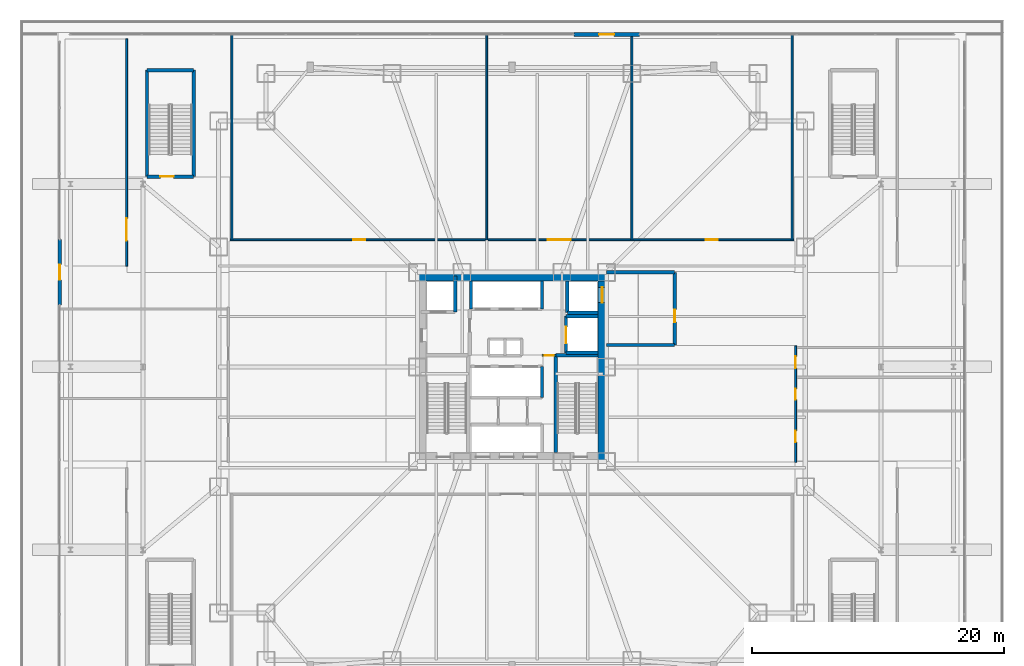
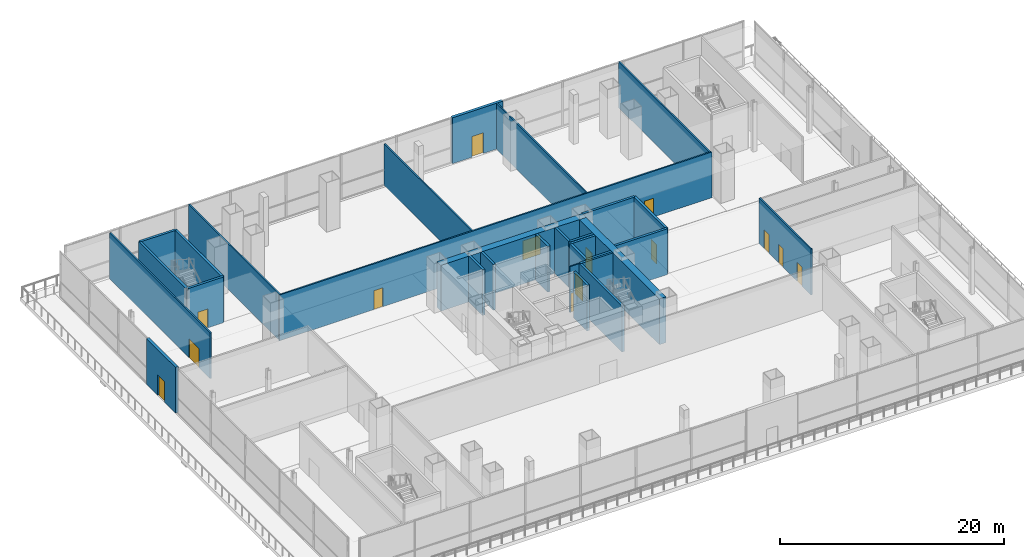
# One storey, part 23 of 35: 30 walls, 14 doors, 14 openings.
"""IFC4 building model written with IfcOpenShell, lengths in metres."""

from ifc_helpers import new_model, si_unit, direction, frame, frame_2d, origin, place, context, subcontext, project, spatial, rectangle, extrude, material, layer, layer_set, type_object, element, fill, save


model = new_model("IFC4")

# Units and contexts
model_context = context("Model", 3, precision=1e-05, world=origin(), true_north=direction((0.0, 1.0)))
body_context = subcontext(model_context, "Body", "Model", "MODEL_VIEW")
ifc_project = project(units=[si_unit("LENGTHUNIT", "METRE"), si_unit("AREAUNIT", "SQUARE_METRE"), si_unit("VOLUMEUNIT", "CUBIC_METRE"), si_unit("PLANEANGLEUNIT", "RADIAN"), si_unit("MASSUNIT", "GRAM", prefix="KILO")], contexts=[model_context])

# Site, building, storey
site_placement = place(None, origin())
site = spatial("IfcSite", under=ifc_project, at=site_placement, CompositionType="ELEMENT")
building_placement = place(site_placement, origin())
building = spatial("IfcBuilding", under=site, at=building_placement, Name="Trevonay Congress Spire", CompositionType="ELEMENT")
storey_placement = place(building_placement, frame((0.0, 0.0, 10.800048828125)))
storey = spatial("IfcBuildingStorey", under=building, at=storey_placement, Name="L02", CompositionType="ELEMENT", Elevation=10.800048828125)

# Wall
ifc_material_1 = material(Name="Concrete C60/75", Category="concrete")
ifc_layer_1 = layer(ifc_material_1, 0.699951171875, Name="Concrete C60/75")
ifc_layer_set_1 = layer_set([ifc_layer_1], Name="Concrete C60/75")
wall_type_1 = type_object("IfcWallType", Name="WAL-CORE-700", PredefinedType="SHEAR", material=ifc_layer_set_1)
wall_1_placement = place(storey_placement, frame((-7.5, 7.14990234375, 0.0), z_axis=(0.0, 0.0, 1.0), x_axis=(1.0, 0.0, 0.0)))
element("IfcWall", 1, at=wall_1_placement, inside=storey, type_object=wall_type_1, Name="L02 North structural core shear wall", PredefinedType="SHEAR", context=body_context, shape_type="SweptSolid", body=[
    extrude(rectangle(XDim=15.0, YDim=0.699951171875, at=frame_2d((7.5, 0.0))), origin(), (0.0, 0.0, 1.0), 5.0),
])

# Wall, opening, door
wall_2_placement = place(storey_placement, frame((7.14990234375, -7.5, 0.0), z_axis=(0.0, 0.0, 1.0), x_axis=(0.0, 1.0, 0.0)))
wall_2 = element("IfcWall", 2, at=wall_2_placement, inside=storey, type_object=wall_type_1, Name="L02 East structural core shear wall", PredefinedType="SHEAR", context=body_context, shape_type="SweptSolid", body=[
    extrude(rectangle(XDim=15.0, YDim=0.699951171875, at=frame_2d((7.5, 0.0))), origin(), (0.0, 0.0, 1.0), 5.0),
])
opening_1_placement = place(wall_2_placement, frame((12.60009765625, 0.0, 0.0)))
opening_1 = element("IfcOpeningElement", 3, at=opening_1_placement, cuts=wall_2, Name="Opening LD04", PredefinedType="OPENING", context=body_context, shape_type="SweptSolid", body=[
    extrude(rectangle(XDim=1.199951171875, YDim=2.199951171875, at=frame_2d((0.60009765625, 1.10009765625))), frame((0.0, 0.35986328125, 0.0), z_axis=(0.0, -1.0, 0.0), x_axis=(1.0, 0.0, 0.0)), (0.0, 0.0, 1.0), 0.719970703125),
])
ifc_material_2 = material(Name="Steel ASTM A572 Grade 50", Category="steel")
door_type_1 = type_object("IfcDoorType", Name="DOR-LIFT-LD04", OperationType="DOUBLE_DOOR_SLIDING", PredefinedType="DOOR", material=ifc_material_2)
door_1_placement = place(opening_1_placement, origin())
door_1 = element("IfcDoor", 4, at=door_1_placement, inside=storey, type_object=door_type_1, Name="L02 Firefighting lift FFL-02 landing door", OperationType="DOUBLE_DOOR_SLIDING", OverallHeight=2.199951171875, OverallWidth=1.199951171875, PredefinedType="DOOR", context=body_context, shape_type="SweptSolid", body=[
    extrude(rectangle(XDim=1.199951171875, YDim=2.199951171875, at=frame_2d((0.60009765625, 1.10009765625))), frame((0.0, 0.02490234375, 0.0), z_axis=(0.0, -1.0, 0.0), x_axis=(1.0, 0.0, 0.0)), (0.0, 0.0, 1.0), 0.050048828125),
])
fill(opening_1, door_1)

# Wall, openings, doors
ifc_material_3 = material(Name="Concrete C40/50", Category="concrete")
ifc_layer_2 = layer(ifc_material_3, 0.14990234375, Name="Concrete C40/50")
ifc_layer_set_2 = layer_set([ifc_layer_2], Name="Concrete C40/50")
wall_type_2 = type_object("IfcWallType", Name="WAL-CORR-150", PredefinedType="PARTITIONING", material=ifc_layer_set_2)
wall_3_placement = place(storey_placement, frame((-22.320068359375, 10.080078125, 0.0), z_axis=(0.0, 0.0, 1.0), x_axis=(1.0, 0.0, 0.0)))
wall_3 = element("IfcWall", 5, at=wall_3_placement, inside=storey, type_object=wall_type_2, Name="L02 interior wall WP-L02N-COR", PredefinedType="PARTITIONING", context=body_context, shape_type="SweptSolid", body=[
    extrude(rectangle(XDim=44.64013671875, YDim=0.14990234375, at=frame_2d((22.320068359375, 0.0))), origin(), (0.0, 0.0, 1.0), 5.0),
])
opening_2_placement = place(wall_3_placement, frame((9.7451171875, 0.0, 0.0)))
opening_2 = element("IfcOpeningElement", 6, at=opening_2_placement, cuts=wall_3, Name="Opening D07", PredefinedType="OPENING", context=body_context, shape_type="SweptSolid", body=[
    extrude(rectangle(XDim=0.949951171875, YDim=2.06005859375, at=frame_2d((0.47509765625, 1.030029296875))), frame((0.0, 0.0849609375, 0.0), z_axis=(0.0, -1.0, 0.0), x_axis=(1.0, 0.0, 0.0)), (0.0, 0.0, 1.0), 0.169921875),
])
opening_3_placement = place(wall_3_placement, frame((25.169921875, 0.0, 0.0)))
opening_3 = element("IfcOpeningElement", 7, at=opening_3_placement, cuts=wall_3, Name="Opening D09", PredefinedType="OPENING", context=body_context, shape_type="SweptSolid", body=[
    extrude(rectangle(XDim=1.800048828125, YDim=2.080078125, at=frame_2d((0.89990234375, 1.0400390625))), frame((0.0, 0.0849609375, 0.0), z_axis=(0.0, -1.0, 0.0), x_axis=(1.0, 0.0, 0.0)), (0.0, 0.0, 1.0), 0.169921875),
])
opening_4_placement = place(wall_3_placement, frame((37.695068359375, 0.0, 0.0)))
opening_4 = element("IfcOpeningElement", 8, at=opening_4_placement, cuts=wall_3, Name="Opening D07", PredefinedType="OPENING", context=body_context, shape_type="SweptSolid", body=[
    extrude(rectangle(XDim=0.949951171875, YDim=2.06005859375, at=frame_2d((0.47509765625, 1.030029296875))), frame((0.0, 0.0849609375, 0.0), z_axis=(0.0, -1.0, 0.0), x_axis=(1.0, 0.0, 0.0)), (0.0, 0.0, 1.0), 0.169921875),
])
ifc_material_4 = material(Name="Pale Anodised Aluminium EN AW-6063-T6", Category="aluminium")
door_type_2 = type_object("IfcDoorType", Name="DOR-CONF-DBL", OperationType="DOUBLE_DOOR_SINGLE_SWING", PredefinedType="DOOR", material=ifc_material_4)
door_2_placement = place(opening_3_placement, origin())
door_2 = element("IfcDoor", 9, at=door_2_placement, inside=storey, type_object=door_type_2, Name="L02 Exhibitor Business Lounge Door", OperationType="DOUBLE_DOOR_SINGLE_SWING", OverallHeight=2.080078125, OverallWidth=1.800048828125, PredefinedType="DOOR", context=body_context, shape_type="SweptSolid", body=[
    extrude(rectangle(XDim=1.800048828125, YDim=2.080078125, at=frame_2d((0.89990234375, 1.0400390625))), frame((0.0, 0.02490234375, 0.0), z_axis=(0.0, -1.0, 0.0), x_axis=(1.0, 0.0, 0.0)), (0.0, 0.0, 1.0), 0.050048828125),
])
fill(opening_3, door_2)
door_type_3 = type_object("IfcDoorType", Name="DOR-OFFICE-95", OperationType="NOTDEFINED", PredefinedType="DOOR", material=ifc_material_4)
door_3_placement = place(opening_2_placement, origin())
door_3 = element("IfcDoor", 10, at=door_3_placement, inside=storey, type_object=door_type_3, Name="L02 North Trade Exhibition Gallery Door", OperationType="SINGLE_SWING_LEFT", OverallHeight=2.06005859375, OverallWidth=0.949951171875, PredefinedType="DOOR", context=body_context, shape_type="SweptSolid", body=[
    extrude(rectangle(XDim=0.949951171875, YDim=2.06005859375, at=frame_2d((0.47509765625, 1.030029296875))), frame((0.0, 0.02490234375, 0.0), z_axis=(0.0, -1.0, 0.0), x_axis=(1.0, 0.0, 0.0)), (0.0, 0.0, 1.0), 0.050048828125),
])
fill(opening_2, door_3)
door_4_placement = place(opening_4_placement, origin())
door_4 = element("IfcDoor", 11, at=door_4_placement, inside=storey, type_object=door_type_3, Name="L02 Trade Press Office Door", OperationType="SINGLE_SWING_RIGHT", OverallHeight=2.06005859375, OverallWidth=0.949951171875, PredefinedType="DOOR", context=body_context, shape_type="SweptSolid", body=[
    extrude(rectangle(XDim=0.949951171875, YDim=2.06005859375, at=frame_2d((0.47509765625, 1.030029296875))), frame((0.0, 0.02490234375, 0.0), z_axis=(0.0, -1.0, 0.0), x_axis=(1.0, 0.0, 0.0)), (0.0, 0.0, 1.0), 0.050048828125),
])
fill(opening_4, door_4)

wall_4_placement = place(storey_placement, frame((22.47998046875, -7.570068359375, 0.0), z_axis=(0.0, 0.0, 1.0), x_axis=(0.0, 1.0, 0.0)))
wall_4 = element("IfcWall", 12, at=wall_4_placement, inside=storey, type_object=wall_type_2, Name="L02 interior wall WP-L02E-COR", PredefinedType="PARTITIONING", context=body_context, shape_type="SweptSolid", body=[
    extrude(rectangle(XDim=9.239990234375, YDim=0.14990234375, at=frame_2d((4.6201171875, 0.0))), origin(), (0.0, 0.0, 1.0), 5.0),
])
opening_5_placement = place(wall_4_placement, frame((1.580078125, 0.0, 0.0)))
opening_5 = element("IfcOpeningElement", 13, at=opening_5_placement, cuts=wall_4, Name="Opening D07", PredefinedType="OPENING", context=body_context, shape_type="SweptSolid", body=[
    extrude(rectangle(XDim=0.949951171875, YDim=2.06005859375, at=frame_2d((0.47509765625, 1.030029296875))), frame((0.0, 0.0849609375, 0.0), z_axis=(0.0, -1.0, 0.0), x_axis=(1.0, 0.0, 0.0)), (0.0, 0.0, 1.0), 0.169921875),
])
opening_6_placement = place(wall_4_placement, frame((4.985107421875, 0.0, 0.0)))
opening_6 = element("IfcOpeningElement", 14, at=opening_6_placement, cuts=wall_4, Name="Opening D10", PredefinedType="OPENING", context=body_context, shape_type="SweptSolid", body=[
    extrude(rectangle(XDim=0.85009765625, YDim=2.050048828125, at=frame_2d((0.425048828125, 1.02490234375))), frame((0.0, 0.0849609375, 0.0), z_axis=(0.0, -1.0, 0.0), x_axis=(1.0, 0.0, 0.0)), (0.0, 0.0, 1.0), 0.169921875),
])
opening_7_placement = place(wall_4_placement, frame((7.4599609375, 0.0, 0.0)))
opening_7 = element("IfcOpeningElement", 15, at=opening_7_placement, cuts=wall_4, Name="Opening D07", PredefinedType="OPENING", context=body_context, shape_type="SweptSolid", body=[
    extrude(rectangle(XDim=0.949951171875, YDim=2.06005859375, at=frame_2d((0.47509765625, 1.030029296875))), frame((0.0, 0.0849609375, 0.0), z_axis=(0.0, -1.0, 0.0), x_axis=(1.0, 0.0, 0.0)), (0.0, 0.0, 1.0), 0.169921875),
])
door_5_placement = place(opening_5_placement, origin())
door_5 = element("IfcDoor", 16, at=door_5_placement, inside=storey, type_object=door_type_3, Name="L02 Exhibition Organizer Office Door", OperationType="SINGLE_SWING_LEFT", OverallHeight=2.06005859375, OverallWidth=0.949951171875, PredefinedType="DOOR", context=body_context, shape_type="SweptSolid", body=[
    extrude(rectangle(XDim=0.949951171875, YDim=2.06005859375, at=frame_2d((0.47509765625, 1.030029296875))), frame((0.0, 0.02490234375, 0.0), z_axis=(0.0, -1.0, 0.0), x_axis=(1.0, 0.0, 0.0)), (0.0, 0.0, 1.0), 0.050048828125),
])
fill(opening_5, door_5)
door_6_placement = place(opening_7_placement, origin())
door_6 = element("IfcDoor", 17, at=door_6_placement, inside=storey, type_object=door_type_3, Name="L02 Floor Supplies and Copy Room Door", OperationType="SINGLE_SWING_LEFT", OverallHeight=2.06005859375, OverallWidth=0.949951171875, PredefinedType="DOOR", context=body_context, shape_type="SweptSolid", body=[
    extrude(rectangle(XDim=0.949951171875, YDim=2.06005859375, at=frame_2d((0.47509765625, 1.030029296875))), frame((0.0, 0.02490234375, 0.0), z_axis=(0.0, -1.0, 0.0), x_axis=(1.0, 0.0, 0.0)), (0.0, 0.0, 1.0), 0.050048828125),
])
fill(opening_7, door_6)
door_type_4 = type_object("IfcDoorType", Name="DOR-WC-85", OperationType="NOTDEFINED", PredefinedType="DOOR", material=ifc_material_4)
door_7_placement = place(opening_6_placement, origin())
door_7 = element("IfcDoor", 18, at=door_7_placement, inside=storey, type_object=door_type_4, Name="L02 Female Restroom WC Door", OperationType="SINGLE_SWING_RIGHT", OverallHeight=2.050048828125, OverallWidth=0.85009765625, PredefinedType="DOOR", context=body_context, shape_type="SweptSolid", body=[
    extrude(rectangle(XDim=0.85009765625, YDim=2.050048828125, at=frame_2d((0.425048828125, 1.02490234375))), frame((0.0, 0.02490234375, 0.0), z_axis=(0.0, -1.0, 0.0), x_axis=(1.0, 0.0, 0.0)), (0.0, 0.0, 1.0), 0.050048828125),
])
fill(opening_6, door_7)

# Wall, opening, door
wall_5_placement = place(storey_placement, frame((-30.550048828125, 8.0, 0.0), z_axis=(0.0, 0.0, 1.0), x_axis=(0.0, 1.0, 0.0)))
wall_5 = element("IfcWall", 19, at=wall_5_placement, inside=storey, type_object=wall_type_2, Name="L02 interior wall WL02-XNW", PredefinedType="PARTITIONING", context=body_context, shape_type="SweptSolid", body=[
    extrude(rectangle(XDim=18.0, YDim=0.14990234375, at=frame_2d((9.0, 0.0))), origin(), (0.0, 0.0, 1.0), 5.0),
])
opening_8_placement = place(wall_5_placement, frame((2.0, 0.0, 0.0)))
opening_8 = element("IfcOpeningElement", 20, at=opening_8_placement, cuts=wall_5, Name="Opening D09", PredefinedType="OPENING", context=body_context, shape_type="SweptSolid", body=[
    extrude(rectangle(XDim=1.800048828125, YDim=2.080078125, at=frame_2d((0.89990234375, 1.0400390625))), frame((0.0, 0.0849609375, 0.0), z_axis=(0.0, -1.0, 0.0), x_axis=(1.0, 0.0, 0.0)), (0.0, 0.0, 1.0), 0.169921875),
])
door_8_placement = place(opening_8_placement, origin())
door_8 = element("IfcDoor", 21, at=door_8_placement, inside=storey, type_object=door_type_2, Name="L02 L02 North-West Breakout Salon Door", OperationType="DOUBLE_DOOR_SINGLE_SWING", OverallHeight=2.080078125, OverallWidth=1.800048828125, PredefinedType="DOOR", context=body_context, shape_type="SweptSolid", body=[
    extrude(rectangle(XDim=1.800048828125, YDim=2.080078125, at=frame_2d((0.89990234375, 1.0400390625))), frame((0.0, 0.02490234375, 0.0), z_axis=(0.0, -1.0, 0.0), x_axis=(1.0, 0.0, 0.0)), (0.0, 0.0, 1.0), 0.050048828125),
])
fill(opening_8, door_8)

ifc_material_5 = material(Name="Precast concrete C40/50", Category="concrete")
ifc_layer_3 = layer(ifc_material_5, 0.300048828125, Name="Precast concrete C40/50")
ifc_layer_set_3 = layer_set([ifc_layer_3], Name="Precast concrete C40/50")
wall_type_3 = type_object("IfcWallType", Name="WAL-EXT-PRECAST-300", PredefinedType="SOLIDWALL", material=ifc_layer_set_3)
wall_6_placement = place(storey_placement, frame((-35.85009765625, 4.89990234375, 0.0), z_axis=(0.0, 0.0, 1.0), x_axis=(0.0, 1.0, 0.0)))
wall_6 = element("IfcWall", 22, at=wall_6_placement, inside=storey, type_object=wall_type_3, Name="L02 W terrace doorway backup wall", PredefinedType="SOLIDWALL", context=body_context, shape_type="SweptSolid", body=[
    extrude(rectangle(XDim=5.2001953125, YDim=0.300048828125, at=frame_2d((2.60009765625, 0.0))), origin(), (0.0, 0.0, 1.0), 5.0),
])
opening_9_placement = place(wall_6_placement, frame((2.0, 0.0, 0.0)))
opening_9 = element("IfcOpeningElement", 23, at=opening_9_placement, cuts=wall_6, Name="Opening D12", PredefinedType="OPENING", context=body_context, shape_type="SweptSolid", body=[
    extrude(rectangle(XDim=1.199951171875, YDim=2.25, at=frame_2d((0.60009765625, 1.125))), frame((0.0, 0.16015625, 0.0), z_axis=(0.0, -1.0, 0.0), x_axis=(1.0, 0.0, 0.0)), (0.0, 0.0, 1.0), 0.320068359375),
])
door_type_5 = type_object("IfcDoorType", Name="DOR-EXT-TERR-120", OperationType="NOTDEFINED", PredefinedType="DOOR", material=ifc_material_4)
door_9_placement = place(opening_9_placement, origin())
door_9 = element("IfcDoor", 24, at=door_9_placement, inside=storey, type_object=door_type_5, Name="L02 W stepped terrace access door", OperationType="SINGLE_SWING_LEFT", OverallHeight=2.25, OverallWidth=1.199951171875, PredefinedType="DOOR", context=body_context, shape_type="SweptSolid", body=[
    extrude(rectangle(XDim=1.199951171875, YDim=2.25, at=frame_2d((0.60009765625, 1.125))), frame((0.0, 0.02490234375, 0.0), z_axis=(0.0, -1.0, 0.0), x_axis=(1.0, 0.0, 0.0)), (0.0, 0.0, 1.0), 0.050048828125),
])
fill(opening_9, door_9)

wall_7_placement = place(storey_placement, frame((4.89990234375, 26.35009765625, 0.0), z_axis=(0.0, 0.0, 1.0), x_axis=(1.0, 0.0, 0.0)))
wall_7 = element("IfcWall", 25, at=wall_7_placement, inside=storey, type_object=wall_type_3, Name="L02 N terrace doorway backup wall", PredefinedType="SOLIDWALL", context=body_context, shape_type="SweptSolid", body=[
    extrude(rectangle(XDim=5.2001953125, YDim=0.300048828125, at=frame_2d((2.60009765625, 0.0))), origin(), (0.0, 0.0, 1.0), 5.0),
])
opening_10_placement = place(wall_7_placement, frame((2.0, 0.0, 0.0)))
opening_10 = element("IfcOpeningElement", 26, at=opening_10_placement, cuts=wall_7, Name="Opening D12", PredefinedType="OPENING", context=body_context, shape_type="SweptSolid", body=[
    extrude(rectangle(XDim=1.199951171875, YDim=2.25, at=frame_2d((0.60009765625, 1.125))), frame((0.0, 0.16015625, 0.0), z_axis=(0.0, -1.0, 0.0), x_axis=(1.0, 0.0, 0.0)), (0.0, 0.0, 1.0), 0.320068359375),
])
door_10_placement = place(opening_10_placement, origin())
door_10 = element("IfcDoor", 27, at=door_10_placement, inside=storey, type_object=door_type_5, Name="L02 N stepped terrace access door", OperationType="SINGLE_SWING_LEFT", OverallHeight=2.25, OverallWidth=1.199951171875, PredefinedType="DOOR", context=body_context, shape_type="SweptSolid", body=[
    extrude(rectangle(XDim=1.199951171875, YDim=2.25, at=frame_2d((0.60009765625, 1.125))), frame((0.0, 0.02490234375, 0.0), z_axis=(0.0, -1.0, 0.0), x_axis=(1.0, 0.0, 0.0)), (0.0, 0.0, 1.0), 0.050048828125),
])
fill(opening_10, door_10)

ifc_layer_4 = layer(ifc_material_3, 0.14990234375, Name="Concrete C40/50")
ifc_layer_set_4 = layer_set([ifc_layer_4], Name="Concrete C40/50")
wall_type_4 = type_object("IfcWallType", Name="WAL-PART-150", PredefinedType="PARTITIONING", material=ifc_layer_set_4)
wall_8_placement = place(storey_placement, frame((2.3798828125, 0.919921875, 0.0), z_axis=(0.0, 0.0, 1.0), x_axis=(1.0, 0.0, 0.0)))
wall_8 = element("IfcWall", 28, at=wall_8_placement, inside=storey, type_object=wall_type_4, Name="L02 interior wall CW-CSRV-N-L02", PredefinedType="PARTITIONING", context=body_context, shape_type="SweptSolid", body=[
    extrude(rectangle(XDim=1.090087890625, YDim=0.14990234375, at=frame_2d((0.544921875, 0.0))), origin(), (0.0, 0.0, 1.0), 5.0),
])
opening_11_placement = place(wall_8_placement, frame((0.135009765625, 0.0, 0.0)))
opening_11 = element("IfcOpeningElement", 29, at=opening_11_placement, cuts=wall_8, Name="Opening D13", PredefinedType="OPENING", context=body_context, shape_type="SweptSolid", body=[
    extrude(rectangle(XDim=0.820068359375, YDim=2.050048828125, at=frame_2d((0.41015625, 1.02490234375))), frame((0.0, 0.0849609375, 0.0), z_axis=(0.0, -1.0, 0.0), x_axis=(1.0, 0.0, 0.0)), (0.0, 0.0, 1.0), 0.169921875),
])
door_type_6 = type_object("IfcDoorType", Name="DOR-UTIL-80", OperationType="NOTDEFINED", PredefinedType="DOOR", material=ifc_material_2)
door_11_placement = place(opening_11_placement, origin())
door_11 = element("IfcDoor", 30, at=door_11_placement, inside=storey, type_object=door_type_6, Name="L02 Core Service Pocket Door", OperationType="SINGLE_SWING_LEFT", OverallHeight=2.050048828125, OverallWidth=0.820068359375, PredefinedType="DOOR", context=body_context, shape_type="SweptSolid", body=[
    extrude(rectangle(XDim=0.820068359375, YDim=2.050048828125, at=frame_2d((0.41015625, 1.02490234375))), frame((0.0, 0.02490234375, 0.0), z_axis=(0.0, -1.0, 0.0), x_axis=(1.0, 0.0, 0.0)), (0.0, 0.0, 1.0), 0.050048828125),
])
fill(opening_11, door_11)

# Walls
wall_9_placement = place(storey_placement, frame((-22.199951171875, 10.080078125, 0.0), z_axis=(0.0, 0.0, 1.0), x_axis=(0.0, 1.0, 0.0)))
element("IfcWall", 31, at=wall_9_placement, inside=storey, type_object=wall_type_4, Name="L02 interior wall WP-L02N-DIV1", PredefinedType="PARTITIONING", context=body_context, shape_type="SweptSolid", body=[
    extrude(rectangle(XDim=16.27001953125, YDim=0.14990234375, at=frame_2d((8.135009765625, 0.0))), origin(), (0.0, 0.0, 1.0), 5.0),
])
wall_10_placement = place(storey_placement, frame((-2.0, 10.080078125, 0.0), z_axis=(0.0, 0.0, 1.0), x_axis=(0.0, 1.0, 0.0)))
element("IfcWall", 32, at=wall_10_placement, inside=storey, type_object=wall_type_4, Name="L02 interior wall WP-L02N-DIV2", PredefinedType="PARTITIONING", context=body_context, shape_type="SweptSolid", body=[
    extrude(rectangle(XDim=16.27001953125, YDim=0.14990234375, at=frame_2d((8.135009765625, 0.0))), origin(), (0.0, 0.0, 1.0), 4.51806640625),
])
for number, where, z_axis, x_axis, name in (
    (33, (9.5, 10.080078125, 0.0), (0.0, 0.0, 1.0), (0.0, 1.0, 0.0), "L02 interior wall WP-L02N-DIV3"),
    (34, (22.199951171875, 10.080078125, 0.0), (0.0, 0.0, 1.0), (0.0, 1.0, 0.0), "L02 interior wall WP-L02N-DIV4"),
):
    element("IfcWall", number, at=place(storey_placement, frame(where, z_axis=z_axis, x_axis=x_axis)), inside=storey, type_object=wall_type_4, Name=name, PredefinedType="PARTITIONING", context=body_context, shape_type="SweptSolid", body=[
        extrude(rectangle(XDim=16.27001953125, YDim=0.14990234375, at=frame_2d((8.135009765625, 0.0))), origin(), (0.0, 0.0, 1.0), 5.0),
    ])
ifc_layer_5 = layer(ifc_material_3, 0.25, Name="Concrete C40/50")
ifc_layer_set_5 = layer_set([ifc_layer_5], Name="Concrete C40/50")
wall_type_5 = type_object("IfcWallType", Name="WAL-SHAFT-250", PredefinedType="SHEAR", material=ifc_layer_set_5)
wall_11_placement = place(storey_placement, frame((2.3798828125, -2.419921875, 0.0), z_axis=(0.0, 0.0, 1.0), x_axis=(0.0, 1.0, 0.0)))
element("IfcWall", 35, at=wall_11_placement, inside=storey, type_object=wall_type_5, Name="L02 interior shaft wall WSH-L02-B2-E", PredefinedType="SHEAR", context=body_context, shape_type="SweptSolid", body=[
    extrude(rectangle(XDim=2.43994140625, YDim=0.25, at=frame_2d((1.219970703125, 0.0))), origin(), (0.0, 0.0, 1.0), 5.0),
])
for number, where, z_axis, x_axis, name in (
    (36, (-3.260009765625, 4.580078125, 0.0), (0.0, 0.0, 1.0), (0.0, 1.0, 0.0), "L02 interior shaft wall WSH-L02-B3-W"),
    (37, (2.3798828125, 4.580078125, 0.0), (0.0, 0.0, 1.0), (0.0, 1.0, 0.0), "L02 interior shaft wall WSH-L02-B3-E"),
):
    element("IfcWall", number, at=place(storey_placement, frame(where, z_axis=z_axis, x_axis=x_axis)), inside=storey, type_object=wall_type_5, Name=name, PredefinedType="SHEAR", context=body_context, shape_type="SweptSolid", body=[
        extrude(rectangle(XDim=2.219970703125, YDim=0.25, at=frame_2d((1.10986328125, 0.0))), origin(), (0.0, 0.0, 1.0), 5.0),
    ])
wall_12_placement = place(storey_placement, frame((-4.5, 4.35009765625, 0.0), z_axis=(0.0, 0.0, 1.0), x_axis=(0.0, 1.0, 0.0)))
element("IfcWall", 38, at=wall_12_placement, inside=storey, type_object=wall_type_5, Name="L02 interior shaft wall WSH-L02-FF1-E", PredefinedType="SHEAR", context=body_context, shape_type="SweptSolid", body=[
    extrude(rectangle(XDim=2.849853515625, YDim=0.25, at=frame_2d((1.4248046875, 0.0))), origin(), (0.0, 0.0, 1.0), 5.0),
])
wall_13_placement = place(storey_placement, frame((4.3798828125, 4.300048828125, 0.0), z_axis=(0.0, 0.0, 1.0), x_axis=(1.0, 0.0, 0.0)))
element("IfcWall", 39, at=wall_13_placement, inside=storey, type_object=wall_type_5, Name="L02 interior shaft wall WSH-L02-FF2-S", PredefinedType="SHEAR", context=body_context, shape_type="SweptSolid", body=[
    extrude(rectangle(XDim=2.420166015625, YDim=0.25, at=frame_2d((1.2099609375, 0.0))), origin(), (0.0, 0.0, 1.0), 5.0),
])
wall_14_placement = place(storey_placement, frame((4.3798828125, 4.300048828125, 0.0), z_axis=(0.0, 0.0, 1.0), x_axis=(0.0, 1.0, 0.0)))
element("IfcWall", 40, at=wall_14_placement, inside=storey, type_object=wall_type_5, Name="L02 interior shaft wall WSH-L02-FF2-W", PredefinedType="SHEAR", context=body_context, shape_type="SweptSolid", body=[
    extrude(rectangle(XDim=2.5, YDim=0.25, at=frame_2d((1.25, 0.0))), origin(), (0.0, 0.0, 1.0), 5.0),
])

# Wall, opening, door
wall_15_placement = place(storey_placement, frame((4.280029296875, 1.1201171875, 0.0), z_axis=(0.0, 0.0, 1.0), x_axis=(0.0, 1.0, 0.0)))
wall_15 = element("IfcWall", 41, at=wall_15_placement, inside=storey, type_object=wall_type_5, Name="L02 interior shaft wall WSH-L02-SV-W", PredefinedType="SHEAR", context=body_context, shape_type="SweptSolid", body=[
    extrude(rectangle(XDim=2.89990234375, YDim=0.25, at=frame_2d((1.449951171875, 0.0))), origin(), (0.0, 0.0, 1.0), 5.0),
])
opening_12_placement = place(wall_15_placement, frame((0.75, 0.0, 0.0)))
opening_12 = element("IfcOpeningElement", 42, at=opening_12_placement, cuts=wall_15, Name="Opening LD05", PredefinedType="OPENING", context=body_context, shape_type="SweptSolid", body=[
    extrude(rectangle(XDim=1.300048828125, YDim=2.300048828125, at=frame_2d((0.64990234375, 1.14990234375))), frame((0.0, 0.135009765625, 0.0), z_axis=(0.0, -1.0, 0.0), x_axis=(1.0, 0.0, 0.0)), (0.0, 0.0, 1.0), 0.27001953125),
])
door_type_7 = type_object("IfcDoorType", Name="DOR-LIFT-LD05", OperationType="DOUBLE_DOOR_SLIDING", PredefinedType="DOOR", material=ifc_material_2)
door_12_placement = place(opening_12_placement, origin())
door_12 = element("IfcDoor", 43, at=door_12_placement, inside=storey, type_object=door_type_7, Name="L02 Goods lift SVL-01 landing door", OperationType="DOUBLE_DOOR_SLIDING", OverallHeight=2.300048828125, OverallWidth=1.300048828125, PredefinedType="DOOR", context=body_context, shape_type="SweptSolid", body=[
    extrude(rectangle(XDim=1.300048828125, YDim=2.300048828125, at=frame_2d((0.64990234375, 1.14990234375))), frame((0.0, 0.02490234375, 0.0), z_axis=(0.0, -1.0, 0.0), x_axis=(1.0, 0.0, 0.0)), (0.0, 0.0, 1.0), 0.050048828125),
])
fill(opening_12, door_12)

# Walls
for number, where, z_axis, x_axis, name in (
    (44, (4.280029296875, 1.1201171875, 0.0), (0.0, 0.0, 1.0), (1.0, 0.0, 0.0), "L02 interior shaft wall WSH-L02-SV-S"),
    (45, (4.280029296875, 4.02001953125, 0.0), (0.0, 0.0, 1.0), (1.0, 0.0, 0.0), "L02 interior shaft wall WSH-L02-SV-N"),
):
    element("IfcWall", number, at=place(storey_placement, frame(where, z_axis=z_axis, x_axis=x_axis)), inside=storey, type_object=wall_type_5, Name=name, PredefinedType="SHEAR", context=body_context, shape_type="SweptSolid", body=[
        extrude(rectangle(XDim=2.52001953125, YDim=0.25, at=frame_2d((1.260009765625, 0.0))), origin(), (0.0, 0.0, 1.0), 5.0),
    ])

# Wall, opening, door
wall_16_placement = place(storey_placement, frame((12.89990234375, 1.75, 0.0), z_axis=(0.0, 0.0, 1.0), x_axis=(0.0, 1.0, 0.0)))
wall_16 = element("IfcWall", 46, at=wall_16_placement, inside=storey, type_object=wall_type_5, Name="L02 interior wall WP-L02-FFLE-E", PredefinedType="SHEAR", context=body_context, shape_type="SweptSolid", body=[
    extrude(rectangle(XDim=5.75, YDim=0.25, at=frame_2d((2.875, 0.0))), origin(), (0.0, 0.0, 1.0), 5.0),
])
opening_13_placement = place(wall_16_placement, frame((1.800048828125, 0.0, 0.0)))
opening_13 = element("IfcOpeningElement", 47, at=opening_13_placement, cuts=wall_16, Name="Opening D06", PredefinedType="OPENING", context=body_context, shape_type="SweptSolid", body=[
    extrude(rectangle(XDim=1.0, YDim=2.080078125, at=frame_2d((0.5, 1.0400390625))), frame((0.0, 0.135009765625, 0.0), z_axis=(0.0, -1.0, 0.0), x_axis=(1.0, 0.0, 0.0)), (0.0, 0.0, 1.0), 0.27001953125),
])
door_type_8 = type_object("IfcDoorType", Name="DOR-FIRE-100", OperationType="NOTDEFINED", PredefinedType="DOOR", material=ifc_material_2)
door_13_placement = place(opening_13_placement, origin())
door_13 = element("IfcDoor", 48, at=door_13_placement, inside=storey, type_object=door_type_8, Name="L02 L02 Firefighting Lobby East Door", OperationType="SINGLE_SWING_RIGHT", OverallHeight=2.080078125, OverallWidth=1.0, PredefinedType="DOOR", context=body_context, shape_type="SweptSolid", body=[
    extrude(rectangle(XDim=1.0, YDim=2.080078125, at=frame_2d((0.5, 1.0400390625))), frame((0.0, 0.02490234375, 0.0), z_axis=(0.0, -1.0, 0.0), x_axis=(1.0, 0.0, 0.0)), (0.0, 0.0, 1.0), 0.050048828125),
])
fill(opening_13, door_13)

# Walls
for number, where, z_axis, x_axis, name in (
    (49, (7.5, 1.75, 0.0), (0.0, 0.0, 1.0), (1.0, 0.0, 0.0), "L02 interior wall WP-L02-FFLE-S"),
    (50, (7.5, 7.5, 0.0), (0.0, 0.0, 1.0), (1.0, 0.0, 0.0), "L02 interior wall WP-L02-FFLE-N"),
):
    element("IfcWall", number, at=place(storey_placement, frame(where, z_axis=z_axis, x_axis=x_axis)), inside=storey, type_object=wall_type_5, Name=name, PredefinedType="SHEAR", context=body_context, shape_type="SweptSolid", body=[
        extrude(rectangle(XDim=5.39990234375, YDim=0.25, at=frame_2d((2.699951171875, 0.0))), origin(), (0.0, 0.0, 1.0), 5.0),
    ])
ifc_layer_6 = layer(ifc_material_3, 0.25, Name="Concrete C40/50")
ifc_layer_set_6 = layer_set([ifc_layer_6], Name="Concrete C40/50")
wall_type_6 = type_object("IfcWallType", Name="WAL-SHAFT-LB-250", PredefinedType="SHEAR", material=ifc_layer_set_6)
wall_17_placement = place(storey_placement, frame((3.469970703125, -6.800048828125, 0.0), z_axis=(0.0, 0.0, 1.0), x_axis=(0.0, 1.0, 0.0)))
element("IfcWall", 51, at=wall_17_placement, inside=storey, type_object=wall_type_6, Name="L02 interior shaft wall WSH-L02-ST2-W", PredefinedType="SHEAR", context=body_context, shape_type="SweptSolid", body=[
    extrude(rectangle(XDim=7.719970703125, YDim=0.25, at=frame_2d((3.85986328125, 0.0))), origin(), (0.0, 0.0, 1.0), 5.0),
])
wall_18_placement = place(storey_placement, frame((3.469970703125, 0.919921875, 0.0), z_axis=(0.0, 0.0, 1.0), x_axis=(1.0, 0.0, 0.0)))
element("IfcWall", 52, at=wall_18_placement, inside=storey, type_object=wall_type_6, Name="L02 interior shaft wall WSH-L02-ST2-N", PredefinedType="SHEAR", context=body_context, shape_type="SweptSolid", body=[
    extrude(rectangle(XDim=3.330078125, YDim=0.25, at=frame_2d((1.6650390625, 0.0))), origin(), (0.0, 0.0, 1.0), 5.0),
])

# Wall, opening, door
wall_19_placement = place(storey_placement, frame((-28.919921875, 15.080078125, 0.0), z_axis=(0.0, 0.0, 1.0), x_axis=(1.0, 0.0, 0.0)))
wall_19 = element("IfcWall", 53, at=wall_19_placement, inside=storey, type_object=wall_type_6, Name="L02 interior shaft wall WSH-L02-ST-5-S", PredefinedType="SHEAR", context=body_context, shape_type="SweptSolid", body=[
    extrude(rectangle(XDim=3.68994140625, YDim=0.25, at=frame_2d((1.844970703125, 0.0))), origin(), (0.0, 0.0, 1.0), 5.0),
])
opening_14_placement = place(wall_19_placement, frame((1.050048828125, 0.0, 0.0)))
opening_14 = element("IfcOpeningElement", 54, at=opening_14_placement, cuts=wall_19, Name="Opening D05", PredefinedType="OPENING", context=body_context, shape_type="SweptSolid", body=[
    extrude(rectangle(XDim=1.050048828125, YDim=2.080078125, at=frame_2d((0.52490234375, 1.0400390625))), frame((0.0, 0.135009765625, 0.0), z_axis=(0.0, -1.0, 0.0), x_axis=(1.0, 0.0, 0.0)), (0.0, 0.0, 1.0), 0.27001953125),
])
door_type_9 = type_object("IfcDoorType", Name="DOR-STAIR-110", OperationType="NOTDEFINED", PredefinedType="DOOR", material=ifc_material_2)
door_14_placement = place(opening_14_placement, origin())
door_14 = element("IfcDoor", 55, at=door_14_placement, inside=storey, type_object=door_type_9, Name="L02 Escape Stair ST-5 Door", OperationType="SINGLE_SWING_RIGHT", OverallHeight=2.080078125, OverallWidth=1.050048828125, PredefinedType="DOOR", context=body_context, shape_type="SweptSolid", body=[
    extrude(rectangle(XDim=1.050048828125, YDim=2.080078125, at=frame_2d((0.52490234375, 1.0400390625))), frame((0.0, 0.02490234375, 0.0), z_axis=(0.0, -1.0, 0.0), x_axis=(1.0, 0.0, 0.0)), (0.0, 0.0, 1.0), 0.050048828125),
])
fill(opening_14, door_14)

# Walls
wall_20_placement = place(storey_placement, frame((-28.919921875, 23.52001953125, 0.0), z_axis=(0.0, 0.0, 1.0), x_axis=(1.0, 0.0, 0.0)))
element("IfcWall", 56, at=wall_20_placement, inside=storey, type_object=wall_type_6, Name="L02 interior shaft wall WSH-L02-ST-5-N", PredefinedType="SHEAR", context=body_context, shape_type="SweptSolid", body=[
    extrude(rectangle(XDim=3.68994140625, YDim=0.25, at=frame_2d((1.844970703125, 0.0))), origin(), (0.0, 0.0, 1.0), 5.0),
])
for number, where, z_axis, x_axis, name in (
    (57, (-28.919921875, 15.080078125, 0.0), (0.0, 0.0, 1.0), (0.0, 1.0, 0.0), "L02 interior shaft wall WSH-L02-ST-5-W"),
    (58, (-25.22998046875, 15.080078125, 0.0), (0.0, 0.0, 1.0), (0.0, 1.0, 0.0), "L02 interior shaft wall WSH-L02-ST-5-E"),
):
    element("IfcWall", number, at=place(storey_placement, frame(where, z_axis=z_axis, x_axis=x_axis)), inside=storey, type_object=wall_type_6, Name=name, PredefinedType="SHEAR", context=body_context, shape_type="SweptSolid", body=[
        extrude(rectangle(XDim=8.43994140625, YDim=0.25, at=frame_2d((4.219970703125, 0.0))), origin(), (0.0, 0.0, 1.0), 5.0),
    ])

save(model, "model.ifc")
